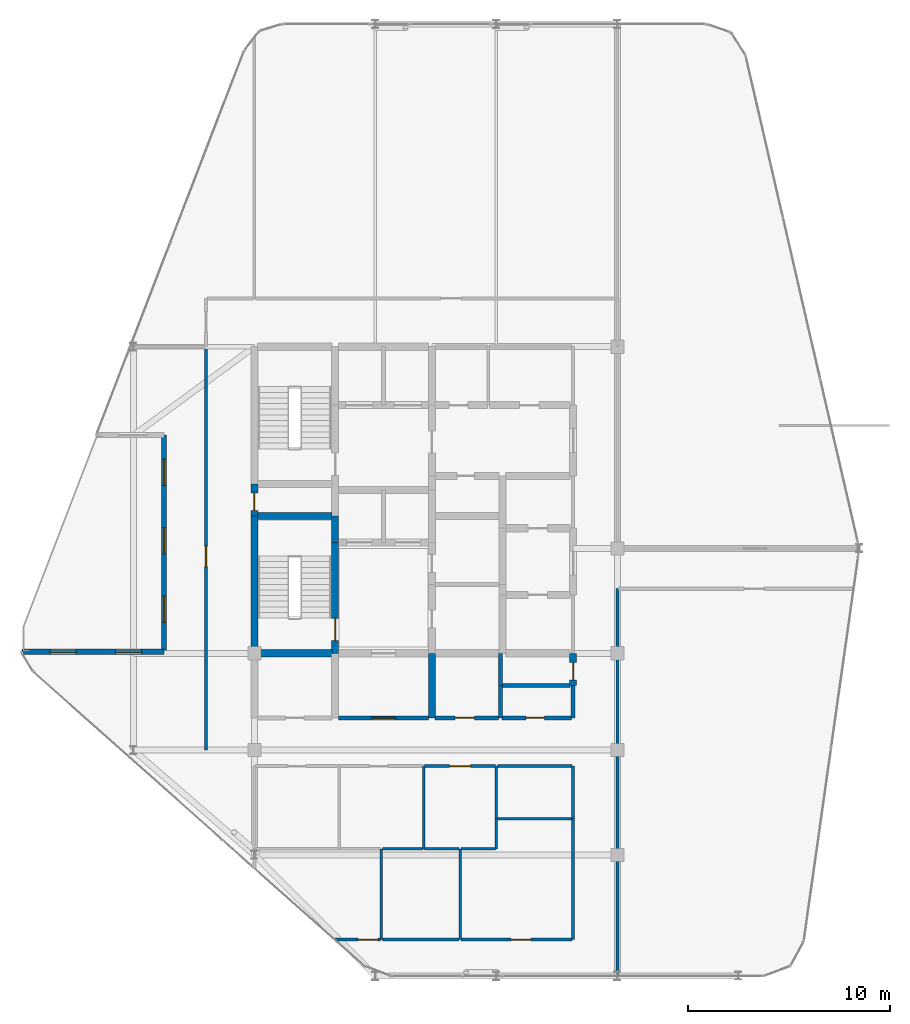
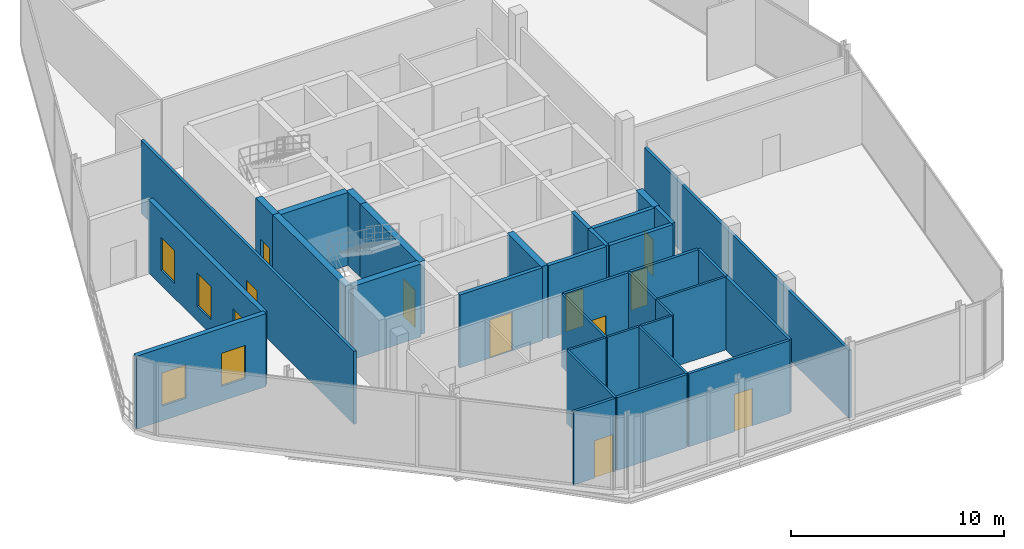
# One storey, part 21 of 24: 35 walls, 10 doors, 5 windows, 15 openings.
"""IFC4 building model written with IfcOpenShell, lengths in metres."""

from ifc_helpers import new_model, si_unit, direction, frame, frame_2d, origin, place, context, subcontext, project, spatial, rectangle, extrude, material, layer, layer_set, type_object, element, fill, save


model = new_model("IFC4")

# Units and contexts
model_context = context("Model", 3, precision=1e-05, world=origin(), true_north=direction((0.0, 1.0)))
body_context = subcontext(model_context, "Body", "Model", "MODEL_VIEW")
ifc_project = project(units=[si_unit("LENGTHUNIT", "METRE"), si_unit("AREAUNIT", "SQUARE_METRE"), si_unit("VOLUMEUNIT", "CUBIC_METRE"), si_unit("PLANEANGLEUNIT", "RADIAN"), si_unit("MASSUNIT", "GRAM", prefix="KILO")], contexts=[model_context])

# Site, building, storey
site_placement = place(None, origin())
site = spatial("IfcSite", under=ifc_project, at=site_placement, CompositionType="ELEMENT")
building_placement = place(site_placement, origin())
building = spatial("IfcBuilding", under=site, at=building_placement, Name="Keshet Zoharim Tower", CompositionType="ELEMENT")
storey_placement = place(building_placement, frame((0.0, 0.0, 299.10009765625)))
storey = spatial("IfcBuildingStorey", under=building, at=storey_placement, Name="L75", CompositionType="ELEMENT", Elevation=299.10009765625)

# Wall, opening, door
ifc_material_1 = material(Name="Gypsum Plasterboard", Category="gypsum")
ifc_layer_1 = layer(ifc_material_1, 0.14990234375)
ifc_layer_set_1 = layer_set([ifc_layer_1], Name="Gypsum Plasterboard")
wall_type_1 = type_object("IfcWallType", Name="WL-CLIN-150", PredefinedType="STANDARD", material=ifc_layer_set_1)
wall_1_placement = place(storey_placement, frame((12.60009765625, 17.89990234375, 0.0), z_axis=(0.0, 0.0, 1.0), x_axis=(0.0, 1.0, 0.0)))
wall_1 = element("IfcWall", 1, at=wall_1_placement, inside=storey, type_object=wall_type_1, Name="L75 Interior Wall 001", PredefinedType="STANDARD", context=body_context, shape_type="SweptSolid", body=[
    extrude(rectangle(XDim=20.0, YDim=0.14990234375, at=frame_2d((10.0, 0.0))), origin(), (0.0, 0.0, 1.0), 4.18994140625),
])
opening_1_placement = place(wall_1_placement, frame((9.10009765625, 0.0, 0.0)))
opening_1 = element("IfcOpeningElement", 2, at=opening_1_placement, cuts=wall_1, Name="Opening D-F310", PredefinedType="OPENING", context=body_context, shape_type="SweptSolid", body=[
    extrude(rectangle(XDim=1.0, YDim=2.14990234375, at=frame_2d((0.5, 1.074951171875))), frame((0.0, 0.0849609375, 0.0), z_axis=(0.0, -1.0, 0.0), x_axis=(1.0, 0.0, 0.0)), (0.0, 0.0, 1.0), 0.169921875),
])
ifc_material_2 = material(Name="Hardwood Timber", Category="wood")
door_type_1 = type_object("IfcDoorType", Name="DR-FD30-100", OperationType="NOTDEFINED", PredefinedType="DOOR", material=ifc_material_2)
door_1_placement = place(opening_1_placement, origin())
door_1 = element("IfcDoor", 3, at=door_1_placement, inside=storey, type_object=door_type_1, Name="L75 Children Playroom Door", OperationType="SINGLE_SWING_RIGHT", OverallHeight=2.14990234375, OverallWidth=1.0, PredefinedType="DOOR", context=body_context, shape_type="SweptSolid", body=[
    extrude(rectangle(XDim=1.0, YDim=2.14990234375, at=frame_2d((0.5, 1.074951171875))), frame((0.0, 0.02490234375, 0.0), z_axis=(0.0, -1.0, 0.0), x_axis=(1.0, 0.0, 0.0)), (0.0, 0.0, 1.0), 0.050048828125),
])
fill(opening_1, door_1)

# Walls
wall_2_placement = place(storey_placement, frame((30.800048828125, 8.5, 0.0), z_axis=(0.0, 0.0, 1.0), x_axis=(0.0, 1.0, 0.0)))
element("IfcWall", 4, at=wall_2_placement, inside=storey, type_object=wall_type_1, Name="L75 Interior Wall 037", PredefinedType="STANDARD", context=body_context, shape_type="SweptSolid", body=[
    extrude(rectangle(XDim=6.0, YDim=0.14990234375, at=frame_2d((3.0, 0.0))), origin(), (0.0, 0.0, 1.0), 4.18994140625),
])
wall_3_placement = place(storey_placement, frame((30.800048828125, 14.5, 0.0), z_axis=(0.0, 0.0, 1.0), x_axis=(0.0, 1.0, 0.0)))
element("IfcWall", 5, at=wall_3_placement, inside=storey, type_object=wall_type_1, Name="L75 Interior Wall 038", PredefinedType="STANDARD", context=body_context, shape_type="SweptSolid", body=[
    extrude(rectangle(XDim=2.60009765625, YDim=0.14990234375, at=frame_2d((1.300048828125, 0.0))), origin(), (0.0, 0.0, 1.0), 4.18994140625),
])
wall_4_placement = place(storey_placement, frame((33.0, 6.7099609375, 0.0), z_axis=(0.0, 0.0, 1.0), x_axis=(0.0, 1.0, 0.0)))
element("IfcWall", 6, at=wall_4_placement, inside=storey, type_object=wall_type_1, Name="L75 Interior Wall 046", PredefinedType="STANDARD", context=body_context, shape_type="SweptSolid", body=[
    extrude(rectangle(XDim=19.18994140625, YDim=0.14990234375, at=frame_2d((9.594970703125, 0.0))), origin(), (0.0, 0.0, 1.0), 3.89990234375),
])

# Wall, opening, door
wall_5_placement = place(storey_placement, frame((18.985107421875, 8.5, 0.0), z_axis=(0.0, 0.0, 1.0), x_axis=(1.0, 0.0, 0.0)))
wall_5 = element("IfcWall", 7, at=wall_5_placement, inside=storey, type_object=wall_type_1, Name="L75 Interior Wall 049", PredefinedType="STANDARD", context=body_context, shape_type="SweptSolid", body=[
    extrude(rectangle(XDim=2.269775390625, YDim=0.14990234375, at=frame_2d((1.134765625, 0.0))), origin(), (0.0, 0.0, 1.0), 4.18994140625),
])
opening_2_placement = place(wall_5_placement, frame((1.14990234375, 0.0, 0.0)))
opening_2 = element("IfcOpeningElement", 8, at=opening_2_placement, cuts=wall_5, Name="Opening D-F310", PredefinedType="OPENING", context=body_context, shape_type="SweptSolid", body=[
    extrude(rectangle(XDim=1.0, YDim=2.14990234375, at=frame_2d((0.5, 1.074951171875))), frame((0.0, 0.0849609375, 0.0), z_axis=(0.0, -1.0, 0.0), x_axis=(1.0, 0.0, 0.0)), (0.0, 0.0, 1.0), 0.169921875),
])
door_2_placement = place(opening_2_placement, origin())
door_2 = element("IfcDoor", 9, at=door_2_placement, inside=storey, type_object=door_type_1, Name="L75 Residents Laundry Room Door", OperationType="SINGLE_SWING_LEFT", OverallHeight=2.14990234375, OverallWidth=1.0, PredefinedType="DOOR", context=body_context, shape_type="SweptSolid", body=[
    extrude(rectangle(XDim=1.0, YDim=2.14990234375, at=frame_2d((0.5, 1.074951171875))), frame((0.0, 0.02490234375, 0.0), z_axis=(0.0, -1.0, 0.0), x_axis=(1.0, 0.0, 0.0)), (0.0, 0.0, 1.0), 0.050048828125),
])
fill(opening_2, door_2)

# Wall
wall_6_placement = place(storey_placement, frame((21.344970703125, 8.5, 0.0), z_axis=(0.0, 0.0, 1.0), x_axis=(1.0, 0.0, 0.0)))
element("IfcWall", 10, at=wall_6_placement, inside=storey, type_object=wall_type_1, Name="L75 Interior Wall 050", PredefinedType="STANDARD", context=body_context, shape_type="SweptSolid", body=[
    extrude(rectangle(XDim=3.81005859375, YDim=0.14990234375, at=frame_2d((1.905029296875, 0.0))), origin(), (0.0, 0.0, 1.0), 4.18994140625),
])

# Wall, opening, door
wall_7_placement = place(storey_placement, frame((25.2451171875, 8.5, 0.0), z_axis=(0.0, 0.0, 1.0), x_axis=(1.0, 0.0, 0.0)))
wall_7 = element("IfcWall", 11, at=wall_7_placement, inside=storey, type_object=wall_type_1, Name="L75 Interior Wall 051", PredefinedType="STANDARD", context=body_context, shape_type="SweptSolid", body=[
    extrude(rectangle(XDim=5.494873046875, YDim=0.14990234375, at=frame_2d((2.74755859375, 0.0))), origin(), (0.0, 0.0, 1.0), 4.18994140625),
])
opening_3_placement = place(wall_7_placement, frame((2.468994140625, 0.0, 0.0)))
opening_3 = element("IfcOpeningElement", 12, at=opening_3_placement, cuts=wall_7, Name="Opening D-F310", PredefinedType="OPENING", context=body_context, shape_type="SweptSolid", body=[
    extrude(rectangle(XDim=1.0, YDim=2.14990234375, at=frame_2d((0.5, 1.074951171875))), frame((0.0, 0.0849609375, 0.0), z_axis=(0.0, -1.0, 0.0), x_axis=(1.0, 0.0, 0.0)), (0.0, 0.0, 1.0), 0.169921875),
])
door_3_placement = place(opening_3_placement, origin())
door_3 = element("IfcDoor", 13, at=door_3_placement, inside=storey, type_object=door_type_1, Name="L75 Shared Residents Kitchen Door", OperationType="SINGLE_SWING_RIGHT", OverallHeight=2.14990234375, OverallWidth=1.0, PredefinedType="DOOR", context=body_context, shape_type="SweptSolid", body=[
    extrude(rectangle(XDim=1.0, YDim=2.14990234375, at=frame_2d((0.5, 1.074951171875))), frame((0.0, 0.02490234375, 0.0), z_axis=(0.0, -1.0, 0.0), x_axis=(1.0, 0.0, 0.0)), (0.0, 0.0, 1.0), 0.050048828125),
])
fill(opening_3, door_3)

wall_8_placement = place(storey_placement, frame((23.445068359375, 17.10009765625, 0.0), z_axis=(0.0, 0.0, 1.0), x_axis=(1.0, 0.0, 0.0)))
wall_8 = element("IfcWall", 14, at=wall_8_placement, inside=storey, type_object=wall_type_1, Name="L75 Interior Wall 058", PredefinedType="STANDARD", context=body_context, shape_type="SweptSolid", body=[
    extrude(rectangle(XDim=3.510009765625, YDim=0.14990234375, at=frame_2d((1.7548828125, 0.0))), origin(), (0.0, 0.0, 1.0), 4.18994140625),
])
opening_4_placement = place(wall_8_placement, frame((1.22998046875, 0.0, 0.0)))
opening_4 = element("IfcOpeningElement", 15, at=opening_4_placement, cuts=wall_8, Name="Opening D-AC10", PredefinedType="OPENING", context=body_context, shape_type="SweptSolid", body=[
    extrude(rectangle(XDim=1.050048828125, YDim=2.14990234375, at=frame_2d((0.52490234375, 1.074951171875))), frame((0.0, 0.0849609375, 0.0), z_axis=(0.0, -1.0, 0.0), x_axis=(1.0, 0.0, 0.0)), (0.0, 0.0, 1.0), 0.169921875),
])
door_type_2 = type_object("IfcDoorType", Name="DR-ACC-105", OperationType="NOTDEFINED", PredefinedType="DOOR", material=ifc_material_2)
door_4_placement = place(opening_4_placement, origin())
door_4 = element("IfcDoor", 16, at=door_4_placement, inside=storey, type_object=door_type_2, Name="L75 Public WCA Door", OperationType="SINGLE_SWING_LEFT", OverallHeight=2.14990234375, OverallWidth=1.050048828125, PredefinedType="DOOR", context=body_context, shape_type="SweptSolid", body=[
    extrude(rectangle(XDim=1.050048828125, YDim=2.14990234375, at=frame_2d((0.52490234375, 1.074951171875))), frame((0.0, 0.02490234375, 0.0), z_axis=(0.0, -1.0, 0.0), x_axis=(1.0, 0.0, 0.0)), (0.0, 0.0, 1.0), 0.050048828125),
])
fill(opening_4, door_4)

# Walls
wall_9_placement = place(storey_placement, frame((27.044921875, 17.10009765625, 0.0), z_axis=(0.0, 0.0, 1.0), x_axis=(1.0, 0.0, 0.0)))
element("IfcWall", 17, at=wall_9_placement, inside=storey, type_object=wall_type_1, Name="L75 Interior Wall 059", PredefinedType="STANDARD", context=body_context, shape_type="SweptSolid", body=[
    extrude(rectangle(XDim=3.695068359375, YDim=0.14990234375, at=frame_2d((1.84765625, 0.0))), origin(), (0.0, 0.0, 1.0), 4.18994140625),
])
ifc_material_3 = material(Name="Concrete C60/75", Category="concrete")
ifc_layer_2 = layer(ifc_material_3, 0.35009765625)
ifc_layer_set_2 = layer_set([ifc_layer_2], Name="Concrete C60/75")
wall_type_2 = type_object("IfcWallType", Name="WL-CORE-350", PredefinedType="SHEAR", material=ifc_layer_set_2)
wall_10_placement = place(storey_placement, frame((15.0, 22.699951171875, 0.0), z_axis=(0.0, 0.0, 1.0), x_axis=(0.0, 1.0, 0.0)))
element("IfcWall", 18, at=wall_10_placement, inside=storey, type_object=wall_type_2, Name="L75 Core Shear Wall 006", PredefinedType="SHEAR", context=body_context, shape_type="SweptSolid", body=[
    extrude(rectangle(XDim=6.800048828125, YDim=0.35009765625, at=frame_2d((3.39990234375, 0.0))), origin(), (0.0, 0.0, 1.0), 4.18994140625),
])

# Wall, opening, door
wall_11_placement = place(storey_placement, frame((15.0, 29.5, 0.0), z_axis=(0.0, 0.0, 1.0), x_axis=(0.0, 1.0, 0.0)))
wall_11 = element("IfcWall", 19, at=wall_11_placement, inside=storey, type_object=wall_type_2, Name="L75 Core Shear Wall 007", PredefinedType="SHEAR", context=body_context, shape_type="SweptSolid", body=[
    extrude(rectangle(XDim=1.60009765625, YDim=0.35009765625, at=frame_2d((0.800048828125, 0.0))), origin(), (0.0, 0.0, 1.0), 4.18994140625),
])
opening_5_placement = place(wall_11_placement, frame((0.287109375, 0.0, 0.0)))
opening_5 = element("IfcOpeningElement", 20, at=opening_5_placement, cuts=wall_11, Name="Opening D-RS85", PredefinedType="OPENING", context=body_context, shape_type="SweptSolid", body=[
    extrude(rectangle(XDim=0.85009765625, YDim=2.10009765625, at=frame_2d((0.425048828125, 1.050048828125))), frame((0.0, 0.18505859375, 0.0), z_axis=(0.0, -1.0, 0.0), x_axis=(1.0, 0.0, 0.0)), (0.0, 0.0, 1.0), 0.3701171875),
])
door_type_3 = type_object("IfcDoorType", Name="DR-RIS-085", OperationType="NOTDEFINED", PredefinedType="DOOR", material=ifc_material_2)
door_5_placement = place(opening_5_placement, origin())
door_5 = element("IfcDoor", 21, at=door_5_placement, inside=storey, type_object=door_type_3, Name="L75 Electrical Riser Access Cupboard Door", OperationType="SINGLE_SWING_RIGHT", OverallHeight=2.10009765625, OverallWidth=0.85009765625, PredefinedType="DOOR", context=body_context, shape_type="SweptSolid", body=[
    extrude(rectangle(XDim=0.85009765625, YDim=2.10009765625, at=frame_2d((0.425048828125, 1.050048828125))), frame((0.0, 0.02490234375, 0.0), z_axis=(0.0, -1.0, 0.0), x_axis=(1.0, 0.0, 0.0)), (0.0, 0.0, 1.0), 0.050048828125),
])
fill(opening_5, door_5)

wall_12_placement = place(storey_placement, frame((19.0, 22.699951171875, 0.0), z_axis=(0.0, 0.0, 1.0), x_axis=(0.0, 1.0, 0.0)))
wall_12 = element("IfcWall", 22, at=wall_12_placement, inside=storey, type_object=wall_type_2, Name="L75 Core Shear Wall 011", PredefinedType="SHEAR", context=body_context, shape_type="SweptSolid", body=[
    extrude(rectangle(XDim=5.5, YDim=0.35009765625, at=frame_2d((2.75, 0.0))), origin(), (0.0, 0.0, 1.0), 4.18994140625),
])
opening_6_placement = place(wall_12_placement, frame((0.631103515625, 0.0, 0.0)))
opening_6 = element("IfcOpeningElement", 23, at=opening_6_placement, cuts=wall_12, Name="Opening D-F611", PredefinedType="OPENING", context=body_context, shape_type="SweptSolid", body=[
    extrude(rectangle(XDim=1.10009765625, YDim=2.14990234375, at=frame_2d((0.550048828125, 1.074951171875))), frame((0.0, 0.18505859375, 0.0), z_axis=(0.0, -1.0, 0.0), x_axis=(1.0, 0.0, 0.0)), (0.0, 0.0, 1.0), 0.3701171875),
])
door_type_4 = type_object("IfcDoorType", Name="DR-FD60-110", OperationType="NOTDEFINED", PredefinedType="DOOR", material=ifc_material_2)
door_6_placement = place(opening_6_placement, origin())
door_6 = element("IfcDoor", 24, at=door_6_placement, inside=storey, type_object=door_type_4, Name="L75 Exit Stair ST-01 Fire Door", OperationType="SINGLE_SWING_LEFT", OverallHeight=2.14990234375, OverallWidth=1.10009765625, PredefinedType="DOOR", context=body_context, shape_type="SweptSolid", body=[
    extrude(rectangle(XDim=1.10009765625, YDim=2.14990234375, at=frame_2d((0.550048828125, 1.074951171875))), frame((0.0, 0.02490234375, 0.0), z_axis=(0.0, -1.0, 0.0), x_axis=(1.0, 0.0, 0.0)), (0.0, 0.0, 1.0), 0.050048828125),
])
fill(opening_6, door_6)

# Walls
wall_13_placement = place(storey_placement, frame((19.0, 28.199951171875, 0.0), z_axis=(0.0, 0.0, 1.0), x_axis=(0.0, 1.0, 0.0)))
element("IfcWall", 25, at=wall_13_placement, inside=storey, type_object=wall_type_2, Name="L75 Core Shear Wall 012", PredefinedType="SHEAR", context=body_context, shape_type="SweptSolid", body=[
    extrude(rectangle(XDim=1.300048828125, YDim=0.35009765625, at=frame_2d((0.64990234375, 0.0))), origin(), (0.0, 0.0, 1.0), 4.18994140625),
])
wall_14_placement = place(storey_placement, frame((23.800048828125, 19.5, 0.0), z_axis=(0.0, 0.0, 1.0), x_axis=(0.0, 1.0, 0.0)))
element("IfcWall", 26, at=wall_14_placement, inside=storey, type_object=wall_type_2, Name="L75 Core Shear Wall 020", PredefinedType="SHEAR", context=body_context, shape_type="SweptSolid", body=[
    extrude(rectangle(XDim=3.199951171875, YDim=0.35009765625, at=frame_2d((1.60009765625, 0.0))), origin(), (0.0, 0.0, 1.0), 4.18994140625),
])

# Wall, opening, door
wall_15_placement = place(storey_placement, frame((30.800048828125, 21.10009765625, 0.0), z_axis=(0.0, 0.0, 1.0), x_axis=(0.0, 1.0, 0.0)))
wall_15 = element("IfcWall", 27, at=wall_15_placement, inside=storey, type_object=wall_type_2, Name="L75 Core Shear Wall 040", PredefinedType="SHEAR", context=body_context, shape_type="SweptSolid", body=[
    extrude(rectangle(XDim=1.599853515625, YDim=0.35009765625, at=frame_2d((0.7998046875, 0.0))), origin(), (0.0, 0.0, 1.0), 4.18994140625),
])
opening_7_placement = place(wall_15_placement, frame((0.287109375, 0.0, 0.0)))
opening_7 = element("IfcOpeningElement", 28, at=opening_7_placement, cuts=wall_15, Name="Opening D-RS85", PredefinedType="OPENING", context=body_context, shape_type="SweptSolid", body=[
    extrude(rectangle(XDim=0.85009765625, YDim=2.10009765625, at=frame_2d((0.425048828125, 1.050048828125))), frame((0.0, 0.18505859375, 0.0), z_axis=(0.0, -1.0, 0.0), x_axis=(1.0, 0.0, 0.0)), (0.0, 0.0, 1.0), 0.3701171875),
])
door_7_placement = place(opening_7_placement, origin())
door_7 = element("IfcDoor", 29, at=door_7_placement, inside=storey, type_object=door_type_3, Name="L75 Linen Store Door", OperationType="SINGLE_SWING_RIGHT", OverallHeight=2.10009765625, OverallWidth=0.85009765625, PredefinedType="DOOR", context=body_context, shape_type="SweptSolid", body=[
    extrude(rectangle(XDim=0.85009765625, YDim=2.10009765625, at=frame_2d((0.425048828125, 1.050048828125))), frame((0.0, 0.02490234375, 0.0), z_axis=(0.0, -1.0, 0.0), x_axis=(1.0, 0.0, 0.0)), (0.0, 0.0, 1.0), 0.050048828125),
])
fill(opening_7, door_7)

# Walls
for number, where, z_axis, x_axis, name in (
    (30, (15.159912109375, 22.699951171875, 0.0), (0.0, 0.0, 1.0), (1.0, 0.0, 0.0), "L75 Core Shear Wall 065"),
    (31, (15.159912109375, 29.5, 0.0), (0.0, 0.0, 1.0), (1.0, 0.0, 0.0), "L75 Core Shear Wall 075"),
):
    element("IfcWall", number, at=place(storey_placement, frame(where, z_axis=z_axis, x_axis=x_axis)), inside=storey, type_object=wall_type_2, Name=name, PredefinedType="SHEAR", context=body_context, shape_type="SweptSolid", body=[
        extrude(rectangle(XDim=3.68017578125, YDim=0.35009765625, at=frame_2d((1.840087890625, 0.0))), origin(), (0.0, 0.0, 1.0), 4.18994140625),
    ])

# Wall, openings, windows
ifc_material_4 = material(Name="Concrete C50/60 precast", Category="concrete")
ifc_layer_3 = layer(ifc_material_4, 0.260009765625)
ifc_layer_set_3 = layer_set([ifc_layer_3], Name="Concrete C50/60 precast")
wall_type_3 = type_object("IfcWallType", Name="WL-EXT-260", PredefinedType="STANDARD", material=ifc_layer_set_3)
wall_16_placement = place(storey_placement, frame((3.47998046875, 22.780029296875, 0.0), z_axis=(0.0, 0.0, 1.0), x_axis=(1.0, 0.0, 0.0)))
wall_16 = element("IfcWall", 32, at=wall_16_placement, inside=storey, type_object=wall_type_3, Name="L75 Exterior Facade Wall 02", PredefinedType="STANDARD", context=body_context, shape_type="SweptSolid", body=[
    extrude(rectangle(XDim=7.0400390625, YDim=0.260009765625, at=frame_2d((3.52001953125, 0.0))), origin(), (0.0, 0.0, 1.0), 4.18994140625),
])
opening_8_placement = place(wall_16_placement, frame((1.375, 0.0, 0.85009765625)))
opening_8 = element("IfcOpeningElement", 33, at=opening_8_placement, cuts=wall_16, Name="Opening W-130", PredefinedType="OPENING", context=body_context, shape_type="SweptSolid", body=[
    extrude(rectangle(XDim=1.300048828125, YDim=1.89990234375, at=frame_2d((0.64990234375, 0.949951171875))), frame((0.0, 0.14013671875, 0.0), z_axis=(0.0, -1.0, 0.0), x_axis=(1.0, 0.0, 0.0)), (0.0, 0.0, 1.0), 0.280029296875),
])
opening_9_placement = place(wall_16_placement, frame((4.625, 0.0, 0.85009765625)))
opening_9 = element("IfcOpeningElement", 34, at=opening_9_placement, cuts=wall_16, Name="Opening W-130", PredefinedType="OPENING", context=body_context, shape_type="SweptSolid", body=[
    extrude(rectangle(XDim=1.300048828125, YDim=1.89990234375, at=frame_2d((0.64990234375, 0.949951171875))), frame((0.0, 0.14013671875, 0.0), z_axis=(0.0, -1.0, 0.0), x_axis=(1.0, 0.0, 0.0)), (0.0, 0.0, 1.0), 0.280029296875),
])
ifc_material_5 = material(Name="Insulated Low-E Clear Glass", Category="glass")
window_type = type_object("IfcWindowType", Name="WN-CRN-130", PartitioningType="SINGLE_PANEL", PredefinedType="WINDOW", material=ifc_material_5)
window_1_placement = place(opening_8_placement, origin())
window_1 = element("IfcWindow", 35, at=window_1_placement, inside=storey, type_object=window_type, Name="L75 Wind-Corner Window 01", OverallHeight=1.89990234375, OverallWidth=1.300048828125, PartitioningType="SINGLE_PANEL", PredefinedType="WINDOW", context=body_context, shape_type="SweptSolid", body=[
    extrude(rectangle(XDim=1.300048828125, YDim=1.89990234375, at=frame_2d((0.64990234375, 0.949951171875))), frame((0.0, 0.030029296875, 0.0), z_axis=(0.0, -1.0, 0.0), x_axis=(1.0, 0.0, 0.0)), (0.0, 0.0, 1.0), 0.06005859375),
])
fill(opening_8, window_1)
window_2_placement = place(opening_9_placement, origin())
window_2 = element("IfcWindow", 36, at=window_2_placement, inside=storey, type_object=window_type, Name="L75 Wind-Corner Window 02", OverallHeight=1.89990234375, OverallWidth=1.300048828125, PartitioningType="SINGLE_PANEL", PredefinedType="WINDOW", context=body_context, shape_type="SweptSolid", body=[
    extrude(rectangle(XDim=1.300048828125, YDim=1.89990234375, at=frame_2d((0.64990234375, 0.949951171875))), frame((0.0, 0.030029296875, 0.0), z_axis=(0.0, -1.0, 0.0), x_axis=(1.0, 0.0, 0.0)), (0.0, 0.0, 1.0), 0.06005859375),
])
fill(opening_9, window_2)

wall_17_placement = place(storey_placement, frame((10.52001953125, 22.780029296875, 0.0), z_axis=(0.0, 0.0, 1.0), x_axis=(0.0, 1.0, 0.0)))
wall_17 = element("IfcWall", 37, at=wall_17_placement, inside=storey, type_object=wall_type_3, Name="L75 Exterior Facade Wall 03", PredefinedType="STANDARD", context=body_context, shape_type="SweptSolid", body=[
    extrude(rectangle(XDim=10.739990234375, YDim=0.260009765625, at=frame_2d((5.3701171875, 0.0))), origin(), (0.0, 0.0, 1.0), 4.18994140625),
])
opening_10_placement = place(wall_17_placement, frame((1.449951171875, 0.0, 0.85009765625)))
opening_10 = element("IfcOpeningElement", 38, at=opening_10_placement, cuts=wall_17, Name="Opening W-130", PredefinedType="OPENING", context=body_context, shape_type="SweptSolid", body=[
    extrude(rectangle(XDim=1.300048828125, YDim=1.89990234375, at=frame_2d((0.64990234375, 0.949951171875))), frame((0.0, 0.14013671875, 0.0), z_axis=(0.0, -1.0, 0.0), x_axis=(1.0, 0.0, 0.0)), (0.0, 0.0, 1.0), 0.280029296875),
])
opening_11_placement = place(wall_17_placement, frame((4.85009765625, 0.0, 0.85009765625)))
opening_11 = element("IfcOpeningElement", 39, at=opening_11_placement, cuts=wall_17, Name="Opening W-130", PredefinedType="OPENING", context=body_context, shape_type="SweptSolid", body=[
    extrude(rectangle(XDim=1.300048828125, YDim=1.89990234375, at=frame_2d((0.64990234375, 0.949951171875))), frame((0.0, 0.14013671875, 0.0), z_axis=(0.0, -1.0, 0.0), x_axis=(1.0, 0.0, 0.0)), (0.0, 0.0, 1.0), 0.280029296875),
])
opening_12_placement = place(wall_17_placement, frame((8.25, 0.0, 0.85009765625)))
opening_12 = element("IfcOpeningElement", 40, at=opening_12_placement, cuts=wall_17, Name="Opening W-130", PredefinedType="OPENING", context=body_context, shape_type="SweptSolid", body=[
    extrude(rectangle(XDim=1.300048828125, YDim=1.89990234375, at=frame_2d((0.64990234375, 0.949951171875))), frame((0.0, 0.14013671875, 0.0), z_axis=(0.0, -1.0, 0.0), x_axis=(1.0, 0.0, 0.0)), (0.0, 0.0, 1.0), 0.280029296875),
])
window_3_placement = place(opening_10_placement, origin())
window_3 = element("IfcWindow", 41, at=window_3_placement, inside=storey, type_object=window_type, Name="L75 Wind-Corner Window 03", OverallHeight=1.89990234375, OverallWidth=1.300048828125, PartitioningType="SINGLE_PANEL", PredefinedType="WINDOW", context=body_context, shape_type="SweptSolid", body=[
    extrude(rectangle(XDim=1.300048828125, YDim=1.89990234375, at=frame_2d((0.64990234375, 0.949951171875))), frame((0.0, 0.030029296875, 0.0), z_axis=(0.0, -1.0, 0.0), x_axis=(1.0, 0.0, 0.0)), (0.0, 0.0, 1.0), 0.06005859375),
])
fill(opening_10, window_3)
window_4_placement = place(opening_11_placement, origin())
window_4 = element("IfcWindow", 42, at=window_4_placement, inside=storey, type_object=window_type, Name="L75 Wind-Corner Window 04", OverallHeight=1.89990234375, OverallWidth=1.300048828125, PartitioningType="SINGLE_PANEL", PredefinedType="WINDOW", context=body_context, shape_type="SweptSolid", body=[
    extrude(rectangle(XDim=1.300048828125, YDim=1.89990234375, at=frame_2d((0.64990234375, 0.949951171875))), frame((0.0, 0.030029296875, 0.0), z_axis=(0.0, -1.0, 0.0), x_axis=(1.0, 0.0, 0.0)), (0.0, 0.0, 1.0), 0.06005859375),
])
fill(opening_11, window_4)
window_5_placement = place(opening_12_placement, origin())
window_5 = element("IfcWindow", 43, at=window_5_placement, inside=storey, type_object=window_type, Name="L75 Wind-Corner Window 05", OverallHeight=1.89990234375, OverallWidth=1.300048828125, PartitioningType="SINGLE_PANEL", PredefinedType="WINDOW", context=body_context, shape_type="SweptSolid", body=[
    extrude(rectangle(XDim=1.300048828125, YDim=1.89990234375, at=frame_2d((0.64990234375, 0.949951171875))), frame((0.0, 0.030029296875, 0.0), z_axis=(0.0, -1.0, 0.0), x_axis=(1.0, 0.0, 0.0)), (0.0, 0.0, 1.0), 0.06005859375),
])
fill(opening_12, window_5)

# Walls
ifc_material_6 = material(Name="Concrete C50/60", Category="concrete")
ifc_layer_4 = layer(ifc_material_6, 0.199951171875)
ifc_layer_set_4 = layer_set([ifc_layer_4], Name="Concrete C50/60")
wall_type_4 = type_object("IfcWallType", Name="WL-FIRE-200", PredefinedType="STANDARD", material=ifc_layer_set_4)
wall_18_placement = place(storey_placement, frame((27.199951171875, 19.5, 0.0), z_axis=(0.0, 0.0, 1.0), x_axis=(0.0, 1.0, 0.0)))
element("IfcWall", 44, at=wall_18_placement, inside=storey, type_object=wall_type_4, Name="L75 Interior Wall 031", PredefinedType="STANDARD", context=body_context, shape_type="SweptSolid", body=[
    extrude(rectangle(XDim=1.60009765625, YDim=0.199951171875, at=frame_2d((0.800048828125, 0.0))), origin(), (0.0, 0.0, 1.0), 4.18994140625),
])
wall_19_placement = place(storey_placement, frame((27.199951171875, 21.10009765625, 0.0), z_axis=(0.0, 0.0, 1.0), x_axis=(0.0, 1.0, 0.0)))
element("IfcWall", 45, at=wall_19_placement, inside=storey, type_object=wall_type_4, Name="L75 Interior Wall 032", PredefinedType="STANDARD", context=body_context, shape_type="SweptSolid", body=[
    extrude(rectangle(XDim=1.599853515625, YDim=0.199951171875, at=frame_2d((0.7998046875, 0.0))), origin(), (0.0, 0.0, 1.0), 4.18994140625),
])
wall_20_placement = place(storey_placement, frame((30.800048828125, 19.5, 0.0), z_axis=(0.0, 0.0, 1.0), x_axis=(0.0, 1.0, 0.0)))
element("IfcWall", 46, at=wall_20_placement, inside=storey, type_object=wall_type_4, Name="L75 Interior Wall 039", PredefinedType="STANDARD", context=body_context, shape_type="SweptSolid", body=[
    extrude(rectangle(XDim=1.60009765625, YDim=0.199951171875, at=frame_2d((0.800048828125, 0.0))), origin(), (0.0, 0.0, 1.0), 4.18994140625),
])

# Wall, opening, door
wall_21_placement = place(storey_placement, frame((19.159912109375, 19.5, 0.0), z_axis=(0.0, 0.0, 1.0), x_axis=(1.0, 0.0, 0.0)))
wall_21 = element("IfcWall", 47, at=wall_21_placement, inside=storey, type_object=wall_type_4, Name="L75 Interior Wall 061", PredefinedType="STANDARD", context=body_context, shape_type="SweptSolid", body=[
    extrude(rectangle(XDim=4.47998046875, YDim=0.199951171875, at=frame_2d((2.239990234375, 0.0))), origin(), (0.0, 0.0, 1.0), 4.18994140625),
])
opening_13_placement = place(wall_21_placement, frame((1.639892578125, 0.0, 0.0)))
opening_13 = element("IfcOpeningElement", 48, at=opening_13_placement, cuts=wall_21, Name="Opening D-F612", PredefinedType="OPENING", context=body_context, shape_type="SweptSolid", body=[
    extrude(rectangle(XDim=1.199951171875, YDim=2.199951171875, at=frame_2d((0.60009765625, 1.10009765625))), frame((0.0, 0.10986328125, 0.0), z_axis=(0.0, -1.0, 0.0), x_axis=(1.0, 0.0, 0.0)), (0.0, 0.0, 1.0), 0.219970703125),
])
door_type_5 = type_object("IfcDoorType", Name="DR-FD60-120", OperationType="NOTDEFINED", PredefinedType="DOOR", material=ifc_material_2)
door_8_placement = place(opening_13_placement, origin())
door_8 = element("IfcDoor", 49, at=door_8_placement, inside=storey, type_object=door_type_5, Name="L75 South Vestibule Corridor Door", OperationType="SINGLE_SWING_LEFT", OverallHeight=2.199951171875, OverallWidth=1.199951171875, PredefinedType="DOOR", context=body_context, shape_type="SweptSolid", body=[
    extrude(rectangle(XDim=1.199951171875, YDim=2.199951171875, at=frame_2d((0.60009765625, 1.10009765625))), frame((0.0, 0.02490234375, 0.0), z_axis=(0.0, -1.0, 0.0), x_axis=(1.0, 0.0, 0.0)), (0.0, 0.0, 1.0), 0.050048828125),
])
fill(opening_13, door_8)

wall_22_placement = place(storey_placement, frame((23.9599609375, 19.5, 0.0), z_axis=(0.0, 0.0, 1.0), x_axis=(1.0, 0.0, 0.0)))
wall_22 = element("IfcWall", 50, at=wall_22_placement, inside=storey, type_object=wall_type_4, Name="L75 Interior Wall 062", PredefinedType="STANDARD", context=body_context, shape_type="SweptSolid", body=[
    extrude(rectangle(XDim=3.155029296875, YDim=0.199951171875, at=frame_2d((1.57763671875, 0.0))), origin(), (0.0, 0.0, 1.0), 4.18994140625),
])
opening_14_placement = place(wall_22_placement, frame((0.990966796875, 0.0, 0.0)))
opening_14 = element("IfcOpeningElement", 51, at=opening_14_placement, cuts=wall_22, Name="Opening D-F695", PredefinedType="OPENING", context=body_context, shape_type="SweptSolid", body=[
    extrude(rectangle(XDim=0.949951171875, YDim=2.14990234375, at=frame_2d((0.47509765625, 1.074951171875))), frame((0.0, 0.10986328125, 0.0), z_axis=(0.0, -1.0, 0.0), x_axis=(1.0, 0.0, 0.0)), (0.0, 0.0, 1.0), 0.219970703125),
])
door_type_6 = type_object("IfcDoorType", Name="DR-FD60-095", OperationType="NOTDEFINED", PredefinedType="DOOR", material=ifc_material_2)
door_9_placement = place(opening_14_placement, origin())
door_9 = element("IfcDoor", 52, at=door_9_placement, inside=storey, type_object=door_type_6, Name="L75 Utility Room Door", OperationType="SINGLE_SWING_RIGHT", OverallHeight=2.14990234375, OverallWidth=0.949951171875, PredefinedType="DOOR", context=body_context, shape_type="SweptSolid", body=[
    extrude(rectangle(XDim=0.949951171875, YDim=2.14990234375, at=frame_2d((0.47509765625, 1.074951171875))), frame((0.0, 0.02490234375, 0.0), z_axis=(0.0, -1.0, 0.0), x_axis=(1.0, 0.0, 0.0)), (0.0, 0.0, 1.0), 0.050048828125),
])
fill(opening_14, door_9)

wall_23_placement = place(storey_placement, frame((27.284912109375, 19.5, 0.0), z_axis=(0.0, 0.0, 1.0), x_axis=(1.0, 0.0, 0.0)))
wall_23 = element("IfcWall", 53, at=wall_23_placement, inside=storey, type_object=wall_type_4, Name="L75 Interior Wall 063", PredefinedType="STANDARD", context=body_context, shape_type="SweptSolid", body=[
    extrude(rectangle(XDim=3.43017578125, YDim=0.199951171875, at=frame_2d((1.715087890625, 0.0))), origin(), (0.0, 0.0, 1.0), 4.18994140625),
])
opening_15_placement = place(wall_23_placement, frame((1.19189453125, 0.0, 0.0)))
opening_15 = element("IfcOpeningElement", 54, at=opening_15_placement, cuts=wall_23, Name="Opening D-F690", PredefinedType="OPENING", context=body_context, shape_type="SweptSolid", body=[
    extrude(rectangle(XDim=0.89990234375, YDim=2.14990234375, at=frame_2d((0.449951171875, 1.074951171875))), frame((0.0, 0.10986328125, 0.0), z_axis=(0.0, -1.0, 0.0), x_axis=(1.0, 0.0, 0.0)), (0.0, 0.0, 1.0), 0.219970703125),
])
door_type_7 = type_object("IfcDoorType", Name="DR-FD60-090", OperationType="NOTDEFINED", PredefinedType="DOOR", material=ifc_material_2)
door_10_placement = place(opening_15_placement, origin())
door_10 = element("IfcDoor", 55, at=door_10_placement, inside=storey, type_object=door_type_7, Name="L75 Valve Room Door", OperationType="SINGLE_SWING_LEFT", OverallHeight=2.14990234375, OverallWidth=0.89990234375, PredefinedType="DOOR", context=body_context, shape_type="SweptSolid", body=[
    extrude(rectangle(XDim=0.89990234375, YDim=2.14990234375, at=frame_2d((0.449951171875, 1.074951171875))), frame((0.0, 0.02490234375, 0.0), z_axis=(0.0, -1.0, 0.0), x_axis=(1.0, 0.0, 0.0)), (0.0, 0.0, 1.0), 0.050048828125),
])
fill(opening_15, door_10)

# Walls
wall_24_placement = place(storey_placement, frame((27.284912109375, 21.10009765625, 0.0), z_axis=(0.0, 0.0, 1.0), x_axis=(1.0, 0.0, 0.0)))
element("IfcWall", 56, at=wall_24_placement, inside=storey, type_object=wall_type_4, Name="L75 Interior Wall 064", PredefinedType="STANDARD", context=body_context, shape_type="SweptSolid", body=[
    extrude(rectangle(XDim=3.35498046875, YDim=0.199951171875, at=frame_2d((1.677490234375, 0.0))), origin(), (0.0, 0.0, 1.0), 4.18994140625),
])
ifc_layer_5 = layer(ifc_material_1, 0.1201171875)
ifc_layer_set_5 = layer_set([ifc_layer_5], Name="Gypsum Plasterboard")
wall_type_5 = type_object("IfcWallType", Name="WL-PART-120", PredefinedType="PARTITIONING", material=ifc_layer_set_5)
for number, where, z_axis, x_axis, name in (
    (57, (21.300048828125, 8.5, 0.0), (0.0, 0.0, 1.0), (0.0, 1.0, 0.0), "L75 Interior Wall 016"),
    (58, (25.199951171875, 8.5, 0.0), (0.0, 0.0, 1.0), (0.0, 1.0, 0.0), "L75 Interior Wall 027"),
):
    element("IfcWall", number, at=place(storey_placement, frame(where, z_axis=z_axis, x_axis=x_axis)), inside=storey, type_object=wall_type_5, Name=name, PredefinedType="PARTITIONING", context=body_context, shape_type="SweptSolid", body=[
        extrude(rectangle(XDim=4.5, YDim=0.1201171875, at=frame_2d((2.25, 0.0))), origin(), (0.0, 0.0, 1.0), 4.18994140625),
    ])
wall_25_placement = place(storey_placement, frame((27.044921875, 14.5, 0.0), z_axis=(0.0, 0.0, 1.0), x_axis=(1.0, 0.0, 0.0)))
element("IfcWall", 59, at=wall_25_placement, inside=storey, type_object=wall_type_5, Name="L75 Interior Wall 056", PredefinedType="PARTITIONING", context=body_context, shape_type="SweptSolid", body=[
    extrude(rectangle(XDim=3.695068359375, YDim=0.1201171875, at=frame_2d((1.84765625, 0.0))), origin(), (0.0, 0.0, 1.0), 4.18994140625),
])
ifc_layer_6 = layer(ifc_material_1, 0.1201171875)
ifc_layer_set_6 = layer_set([ifc_layer_6], Name="Gypsum Plasterboard")
wall_type_6 = type_object("IfcWallType", Name="WL-WET-120", PredefinedType="PARTITIONING", material=ifc_layer_set_6)
wall_26_placement = place(storey_placement, frame((23.39990234375, 13.0, 0.0), z_axis=(0.0, 0.0, 1.0), x_axis=(0.0, 1.0, 0.0)))
element("IfcWall", 60, at=wall_26_placement, inside=storey, type_object=wall_type_6, Name="L75 Interior Wall 019", PredefinedType="PARTITIONING", context=body_context, shape_type="SweptSolid", body=[
    extrude(rectangle(XDim=4.10009765625, YDim=0.1201171875, at=frame_2d((2.050048828125, 0.0))), origin(), (0.0, 0.0, 1.0), 4.18994140625),
])
wall_27_placement = place(storey_placement, frame((27.0, 13.0, 0.0), z_axis=(0.0, 0.0, 1.0), x_axis=(0.0, 1.0, 0.0)))
element("IfcWall", 61, at=wall_27_placement, inside=storey, type_object=wall_type_6, Name="L75 Interior Wall 029", PredefinedType="PARTITIONING", context=body_context, shape_type="SweptSolid", body=[
    extrude(rectangle(XDim=1.5, YDim=0.1201171875, at=frame_2d((0.75, 0.0))), origin(), (0.0, 0.0, 1.0), 4.18994140625),
])
wall_28_placement = place(storey_placement, frame((27.0, 14.5, 0.0), z_axis=(0.0, 0.0, 1.0), x_axis=(0.0, 1.0, 0.0)))
element("IfcWall", 62, at=wall_28_placement, inside=storey, type_object=wall_type_6, Name="L75 Interior Wall 030", PredefinedType="PARTITIONING", context=body_context, shape_type="SweptSolid", body=[
    extrude(rectangle(XDim=2.60009765625, YDim=0.1201171875, at=frame_2d((1.300048828125, 0.0))), origin(), (0.0, 0.0, 1.0), 4.18994140625),
])
wall_29_placement = place(storey_placement, frame((21.344970703125, 13.0, 0.0), z_axis=(0.0, 0.0, 1.0), x_axis=(1.0, 0.0, 0.0)))
element("IfcWall", 63, at=wall_29_placement, inside=storey, type_object=wall_type_6, Name="L75 Interior Wall 053", PredefinedType="PARTITIONING", context=body_context, shape_type="SweptSolid", body=[
    extrude(rectangle(XDim=2.010009765625, YDim=0.1201171875, at=frame_2d((1.0048828125, 0.0))), origin(), (0.0, 0.0, 1.0), 4.18994140625),
])
for number, where, z_axis, x_axis, name in (
    (64, (23.445068359375, 13.0, 0.0), (0.0, 0.0, 1.0), (1.0, 0.0, 0.0), "L75 Interior Wall 054"),
    (65, (25.2451171875, 13.0, 0.0), (0.0, 0.0, 1.0), (1.0, 0.0, 0.0), "L75 Interior Wall 055"),
):
    element("IfcWall", number, at=place(storey_placement, frame(where, z_axis=z_axis, x_axis=x_axis)), inside=storey, type_object=wall_type_6, Name=name, PredefinedType="PARTITIONING", context=body_context, shape_type="SweptSolid", body=[
        extrude(rectangle(XDim=1.7099609375, YDim=0.1201171875, at=frame_2d((0.85498046875, 0.0))), origin(), (0.0, 0.0, 1.0), 4.18994140625),
    ])

save(model, "model.ifc")
